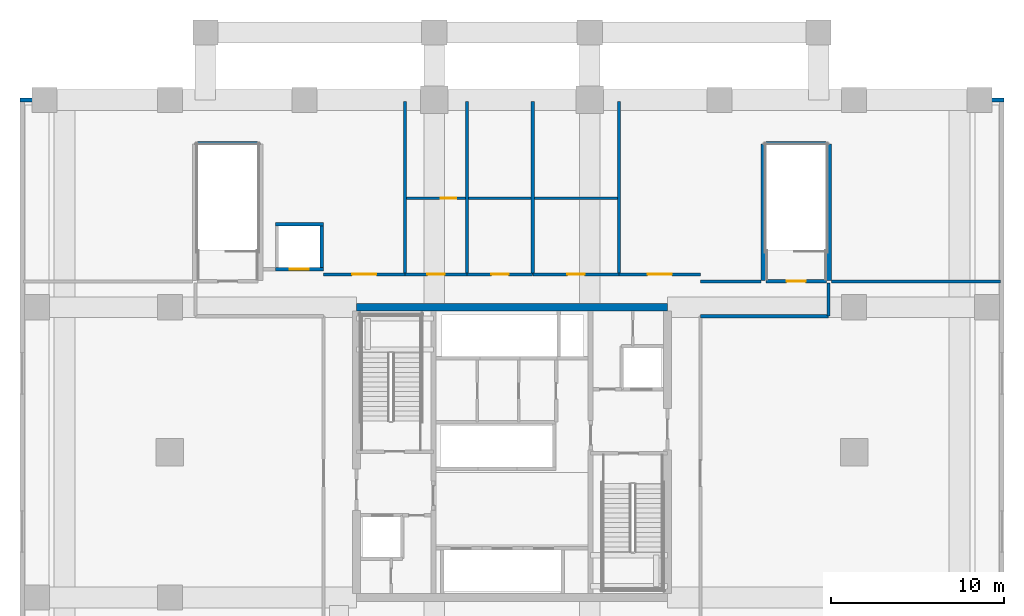
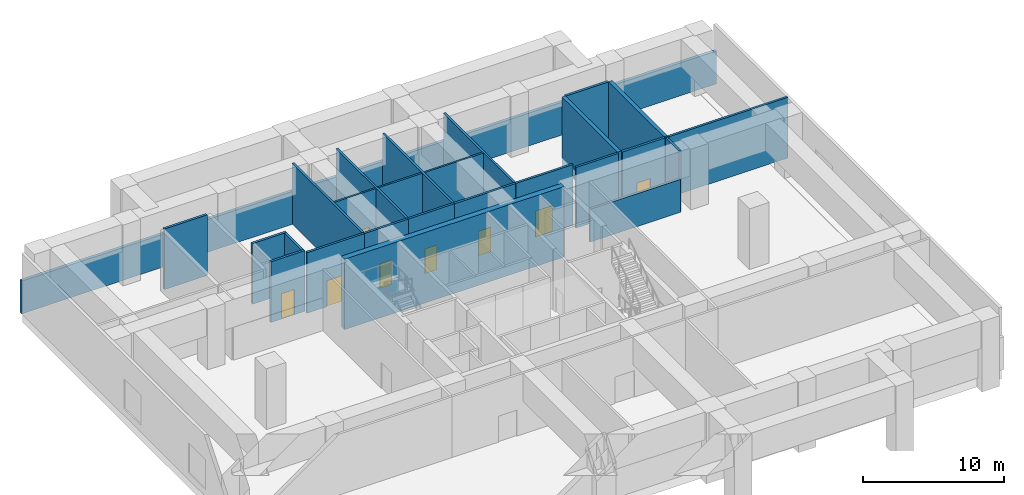
# One storey, part 4 of 9: 24 walls, 8 doors, 8 openings.
"""IFC4 building model written with IfcOpenShell, lengths in metres."""

import ifcopenshell
import ifcopenshell.guid

model = None  # the IFC model being written
_history = None  # IfcOwnerHistory: only IFC2X3 demands one
_inside = {}  # id of a spatial element -> (the spatial element, [elements in it])
_under = {}  # id of a project, library or spatial element -> (it, [spatial elements below it])
_declared = {}  # id of a project -> (the project, [libraries it declares])
_typed = {}  # id of a type object -> (the type object, [elements of that type])
_made_of = {}  # id of a material, layer set ... -> (it, [elements and type objects made of it])


def new_model(schema):
    """Start an empty IFC model of exactly this schema.

    Asked for "IFC4X3", IfcOpenShell would pick the latest addendum, in which some entities
    have other attributes; the version numbers below select the first issue.
    IFC2X3 requires an IfcOwnerHistory on every rooted entity: one is made here for all.
    """
    global model, _history
    if schema == "IFC4X3":
        model = ifcopenshell.file(schema_version=(4, 3, 0, 0))
    else:
        model = ifcopenshell.file(schema=schema)
    _inside.clear()
    _under.clear()
    _declared.clear()
    _typed.clear()
    _made_of.clear()
    _history = None
    if model.schema == "IFC2X3":
        org = make("IfcOrganization", Name="unknown")
        user = make(
            "IfcPersonAndOrganization",
            ThePerson=make("IfcPerson", FamilyName="unknown"),
            TheOrganization=org,
        )
        app = make(
            "IfcApplication",
            ApplicationDeveloper=org,
            Version="unknown",
            ApplicationFullName="unknown",
            ApplicationIdentifier="unknown",
        )
        _history = make(
            "IfcOwnerHistory",
            OwningUser=user,
            OwningApplication=app,
            ChangeAction="ADDED",
            CreationDate=0,
        )
    return model


def make(cls, **values):
    """One entity of the class cls with the attributes given. An attribute that is None is left unset."""
    return model.create_entity(
        cls, **{name: value for name, value in values.items() if value is not None}
    )


def rooted(cls, **values):
    """An entity with a GlobalId (a new one), such as an element, a storey or a relation."""
    return make(cls, GlobalId=ifcopenshell.guid.new(), OwnerHistory=_history, **values)


def si_unit(unit_type, name, prefix=None):
    """IfcSIUnit, for example si_unit("LENGTHUNIT", "METRE", prefix="MILLI")."""
    return make("IfcSIUnit", UnitType=unit_type, Prefix=prefix, Name=name)


def assignment(units):
    """IfcUnitAssignment: the units of a project."""
    return None if units is None else make("IfcUnitAssignment", Units=units)


def point(xyz):
    """IfcCartesianPoint."""
    return None if xyz is None else make("IfcCartesianPoint", Coordinates=xyz)


def direction(xyz):
    """IfcDirection."""
    return None if xyz is None else make("IfcDirection", DirectionRatios=xyz)


def frame(location, z_axis=None, x_axis=None):
    """IfcAxis2Placement3D, a coordinate frame: its origin and axes. An axis left out is left unset."""
    return make(
        "IfcAxis2Placement3D",
        Location=point(location),
        Axis=direction(z_axis),
        RefDirection=direction(x_axis),
    )


def frame_2d(location, x_axis=None):
    """IfcAxis2Placement2D, a coordinate frame in the plane: its origin and x axis."""
    return make(
        "IfcAxis2Placement2D", Location=point(location), RefDirection=direction(x_axis)
    )


def origin():
    """The frame at (0, 0, 0) with its axes left unset."""
    return frame((0.0, 0.0, 0.0))


def place(relative_to, where):
    """IfcLocalPlacement: puts the frame where relative to a parent placement (None: the world)."""
    return make(
        "IfcLocalPlacement", PlacementRelTo=relative_to, RelativePlacement=where
    )


def context(
    kind, dimensions, precision=None, world=None, true_north=None, identifier=None
):
    """IfcGeometricRepresentationContext, for example the 3D "Model" context."""
    return make(
        "IfcGeometricRepresentationContext",
        ContextIdentifier=identifier,
        ContextType=kind,
        CoordinateSpaceDimension=dimensions,
        Precision=precision,
        WorldCoordinateSystem=world,
        TrueNorth=true_north,
    )


def subcontext(parent, identifier, kind, view, scale=None):
    """IfcGeometricRepresentationSubContext, for example "Body" below "Model"."""
    return make(
        "IfcGeometricRepresentationSubContext",
        ContextIdentifier=identifier,
        ContextType=kind,
        ParentContext=parent,
        TargetScale=scale,
        TargetView=view,
    )


def project(units=None, contexts=None):
    """IfcProject with its units and contexts."""
    return rooted(
        "IfcProject",
        Name="project",
        RepresentationContexts=contexts,
        UnitsInContext=assignment(units),
    )


def spatial(cls, under=None, at=None, **own):
    """A site, building, storey or space (cls), placed at a placement, below another one or the project."""
    s = rooted(cls, ObjectPlacement=at, **own)
    if under is not None:
        _under.setdefault(under.id(), (under, []))[1].append(s)
    return s


def profile(cls, at=None, kind="AREA", **sizes):
    """A parametric profile (cls). Its sizes go by their IFC names, for example OverallWidth=200.0."""
    return make(cls, ProfileType=kind, Position=at, **sizes)


def rectangle(**sizes):
    """IfcRectangleProfileDef."""
    return profile("IfcRectangleProfileDef", **sizes)


def extrude(swept, where, along, depth):
    """IfcExtrudedAreaSolid: the profile swept, set in the frame where, extruded along a direction by depth."""
    return make(
        "IfcExtrudedAreaSolid",
        SweptArea=swept,
        Position=where,
        ExtrudedDirection=direction(along),
        Depth=depth,
    )


def shape(context_of_items, identifier, shape_type, items):
    """IfcShapeRepresentation: the items that make up one representation, for example the "Body"."""
    return make(
        "IfcShapeRepresentation",
        ContextOfItems=context_of_items,
        RepresentationIdentifier=identifier,
        RepresentationType=shape_type,
        Items=items,
    )


def source(mapping_origin, context_of_items, identifier, shape_type, items):
    """IfcRepresentationMap: a shape defined once, which mapped items show again and again."""
    return make(
        "IfcRepresentationMap",
        MappingOrigin=mapping_origin,
        MappedRepresentation=shape(context_of_items, identifier, shape_type, items),
    )


def transform(
    local_origin,
    x_axis=None,
    y_axis=None,
    z_axis=None,
    scale=None,
    scale2=None,
    scale3=None,
    uniform=True,
):
    """IfcCartesianTransformationOperator3D, or its non-uniform kind. x_axis, y_axis, z_axis: its Axis1, 2, 3."""
    if uniform:
        return make(
            "IfcCartesianTransformationOperator3D",
            Axis1=direction(x_axis),
            Axis2=direction(y_axis),
            LocalOrigin=point(local_origin),
            Scale=scale,
            Axis3=direction(z_axis),
        )
    return make(
        "IfcCartesianTransformationOperator3DnonUniform",
        Axis1=direction(x_axis),
        Axis2=direction(y_axis),
        LocalOrigin=point(local_origin),
        Scale=scale,
        Axis3=direction(z_axis),
        Scale2=scale2,
        Scale3=scale3,
    )


def mapped(mapping_source, mapping_target):
    """IfcMappedItem: shows the shape of a source again, moved by a transform."""
    return make(
        "IfcMappedItem", MappingSource=mapping_source, MappingTarget=mapping_target
    )


def material(Name=None, Category=None):
    """IfcMaterial."""
    return make("IfcMaterial", Name=Name, Category=Category)


def layer(
    of_material, thickness, ventilated=None, Name=None, Category=None, Priority=None
):
    """IfcMaterialLayer: one layer of a wall or slab, of a material (None: an air gap)."""
    return make(
        "IfcMaterialLayer",
        Material=of_material,
        LayerThickness=thickness,
        IsVentilated=ventilated,
        Name=Name,
        Category=Category,
        Priority=Priority,
    )


def layer_set(layers, Name=None):
    """IfcMaterialLayerSet."""
    return make("IfcMaterialLayerSet", MaterialLayers=layers, LayerSetName=Name)


def made_of(thing, what):
    """Note that an element or type object is made of a material, layer set ...; save() writes the relation."""
    if what is not None:
        _made_of.setdefault(what.id(), (what, []))[1].append(thing)
    return thing


def type_object(cls, material=None, **own):
    """A type object (cls), such as IfcWallType, which elements share."""
    return made_of(rooted(cls, **own), material)


def element(
    cls,
    number,
    at=None,
    inside=None,
    cuts=None,
    type_object=None,
    material=None,
    context=None,
    identifier="Body",
    shape_type=None,
    held_by="IfcProductDefinitionShape",
    body=None,
    shapes=None,
    **own,
):
    """One element of the class cls, such as IfcWall. Its Tag is "e" and its number.

    at: its placement. inside: the storey or other place that contains it. cuts: it is an
    opening in that element (IfcRelVoidsElement). A single representation is given by context,
    identifier, shape_type and body (its items); several are given by shapes. held_by: the class
    of the entity that holds the representations. save() writes the other relations.
    """
    e = rooted(cls, Tag="e%d" % number, ObjectPlacement=at, **own)
    if body is not None:
        shapes = [shape(context, identifier, shape_type, body)]
    if shapes is not None:
        e.Representation = make(held_by, Representations=shapes)
    if inside is not None:
        _inside.setdefault(inside.id(), (inside, []))[1].append(e)
    if cuts is not None:
        rooted(
            "IfcRelVoidsElement", RelatingBuildingElement=cuts, RelatedOpeningElement=e
        )
    if type_object is not None:
        _typed.setdefault(type_object.id(), (type_object, []))[1].append(e)
    return made_of(e, material)


def fill(opening, filler):
    """IfcRelFillsElement: the door or window that sits in an opening."""
    return rooted(
        "IfcRelFillsElement",
        RelatingOpeningElement=opening,
        RelatedBuildingElement=filler,
    )


def aggregate(whole, parts):
    """IfcRelAggregates: a whole, such as a stair, and the parts it consists of."""
    return rooted("IfcRelAggregates", RelatingObject=whole, RelatedObjects=parts)


def save(model, path):
    """Write the relations noted so far, then the file.

    IfcRelAggregates (storeys below a building ...), IfcRelContainedInSpatialStructure (elements
    in a storey), IfcRelDefinesByType, IfcRelAssociatesMaterial and IfcRelDeclares: one each for
    every whole, place, type object, material and project.
    """
    for whole, parts in _under.values():
        aggregate(whole, parts)
    for where, things in _inside.values():
        rooted(
            "IfcRelContainedInSpatialStructure",
            RelatedElements=things,
            RelatingStructure=where,
        )
    for kind, things in _typed.values():
        rooted("IfcRelDefinesByType", RelatedObjects=things, RelatingType=kind)
    for what, things in _made_of.values():
        rooted("IfcRelAssociatesMaterial", RelatedObjects=things, RelatingMaterial=what)
    for by, libraries in _declared.values():
        rooted("IfcRelDeclares", RelatingContext=by, RelatedDefinitions=libraries)
    model.write(path)


model = new_model("IFC4")

# Units and contexts
model_context = context("Model", 3, precision=1e-05, world=origin(), true_north=direction((0.0, 1.0)))
body_context = subcontext(model_context, "Body", "Model", "MODEL_VIEW")
ifc_project = project(units=[si_unit("LENGTHUNIT", "METRE"), si_unit("AREAUNIT", "SQUARE_METRE"), si_unit("VOLUMEUNIT", "CUBIC_METRE"), si_unit("PLANEANGLEUNIT", "RADIAN"), si_unit("MASSUNIT", "GRAM", prefix="KILO")], contexts=[model_context])

# Site, building, storey
site_placement = place(None, origin())
site = spatial("IfcSite", under=ifc_project, at=site_placement, CompositionType="ELEMENT")
building_placement = place(site_placement, origin())
building = spatial("IfcBuilding", under=site, at=building_placement, Name="Serunith Strait Residences", CompositionType="ELEMENT")
storey_placement = place(building_placement, frame((0.0, 0.0, 21.0)))
storey = spatial("IfcBuildingStorey", under=building, at=storey_placement, Name="L04", CompositionType="ELEMENT", Elevation=21.0)

# Wall
ifc_material_1 = material(Name="Pale-Silver Aluminium Terracotta-Backed Wall", Category="masonry")
ifc_layer_1 = layer(ifc_material_1, 0.25, Name="Pale-Silver Aluminium Terracotta-Backed Wall")
ifc_layer_set_1 = layer_set([ifc_layer_1], Name="Pale-Silver Aluminium Terracotta-Backed Wall")
wall_type_1 = type_object("IfcWallType", Name="EW-POD-250", PredefinedType="ELEMENTEDWALL", material=ifc_layer_set_1)
wall_1_placement = place(storey_placement, frame((60.875, 45.60009765625, 0.0), z_axis=(0.0, 0.0, 1.0), x_axis=(-1.0, 0.0, 0.0)))
element("IfcWall", 1, at=wall_1_placement, inside=storey, type_object=wall_type_1, Name="L04 Podium Envelope Wall 3", PredefinedType="ELEMENTEDWALL", context=body_context, shape_type="SweptSolid", body=[
    extrude(rectangle(XDim=56.949951171875, YDim=0.25, at=frame_2d((28.47509765625, 0.0))), origin(), (0.0, 0.0, 1.0), 2.844970703125),
])

# Wall, opening, door
ifc_material_2 = material(Name="Fire-rated masonry service closet wall", Category="masonry")
ifc_layer_2 = layer(ifc_material_2, 0.14990234375, Name="Fire-rated masonry service closet wall")
ifc_layer_set_2 = layer_set([ifc_layer_2], Name="Fire-rated masonry service closet wall")
wall_type_2 = type_object("IfcWallType", Name="IW-BOH-150", PredefinedType="PARTITIONING", material=ifc_layer_set_2)
wall_2_placement = place(storey_placement, frame((26.199951171875, 39.89990234375, 0.0), z_axis=(0.0, 0.0, 1.0), x_axis=(1.0, 0.0, 0.0)))
wall_2 = element("IfcWall", 2, at=wall_2_placement, inside=storey, type_object=wall_type_2, Name="L04 Partition Wall 043", PredefinedType="PARTITIONING", context=body_context, shape_type="SweptSolid", body=[
    extrude(rectangle(XDim=12.400146484375, YDim=0.14990234375, at=frame_2d((6.2001953125, 0.0))), origin(), (0.0, 0.0, 1.0), 5.260009765625),
])
opening_1_placement = place(wall_2_placement, frame((2.070068359375, 0.0, 0.0)))
opening_1 = element("IfcOpeningElement", 3, at=opening_1_placement, cuts=wall_2, Name="Opening FD-900", PredefinedType="OPENING", context=body_context, shape_type="SweptSolid", body=[
    extrude(rectangle(XDim=0.89990234375, YDim=2.10009765625, at=frame_2d((0.449951171875, 1.050048828125))), frame((0.0, 0.0849609375, 0.0), z_axis=(0.0, -1.0, 0.0), x_axis=(1.0, 0.0, 0.0)), (0.0, 0.0, 1.0), 0.169921875),
])
ifc_material_3 = material(Name="Powder-coated steel riser door", Category="steel")
door_type_1 = type_object("IfcDoorType", Name="FD-BOH-900", OperationType="NOTDEFINED", PredefinedType="DOOR", material=ifc_material_3)
shared_shape_1 = source(origin(), body_context, "Body", "SweptSolid", [
    extrude(rectangle(XDim=0.89990234375, YDim=2.10009765625, at=frame_2d((0.449951171875, 1.050048828125))), frame((0.0, 0.02490234375, 0.0), z_axis=(0.0, -1.0, 0.0), x_axis=(1.0, 0.0, 0.0)), (0.0, 0.0, 1.0), 0.050048828125),
])
door_1_placement = place(opening_1_placement, origin())
door_1 = element("IfcDoor", 4, at=door_1_placement, inside=storey, type_object=door_type_1, Name="L04 Linen Store Door", OperationType="SINGLE_SWING_LEFT", OverallHeight=2.10009765625, OverallWidth=0.89990234375, PredefinedType="DOOR", context=body_context, shape_type="MappedRepresentation", body=[
    mapped(shared_shape_1, transform((0.0, 0.0, 0.0), scale=1.0)),
])
fill(opening_1, door_1)

# Walls
ifc_material_4 = material(Name="Fire-rated acoustic gypsum partition")
ifc_layer_3 = layer(ifc_material_4, 0.179931640625, Name="Fire-rated acoustic gypsum partition")
ifc_layer_set_3 = layer_set([ifc_layer_3], Name="Fire-rated acoustic gypsum partition")
wall_type_3 = type_object("IfcWallType", Name="IW-CORR-180", PredefinedType="PARTITIONING", material=ifc_layer_set_3)
wall_3_placement = place(storey_placement, frame((43.300048828125, 35.080078125, 0.0), z_axis=(0.0, 0.0, 1.0), x_axis=(1.0, 0.0, 0.0)))
element("IfcWall", 5, at=wall_3_placement, inside=storey, type_object=wall_type_3, Name="L04 Partition Wall 022", PredefinedType="PARTITIONING", context=body_context, shape_type="SweptSolid", body=[
    extrude(rectangle(XDim=3.5, YDim=0.179931640625, at=frame_2d((1.75, 0.0))), origin(), (0.0, 0.0, 1.0), 5.260009765625),
])
wall_4_placement = place(storey_placement, frame((43.300048828125, 33.080078125, 0.0), z_axis=(0.0, 0.0, 1.0), x_axis=(1.0, 0.0, 0.0)))
element("IfcWall", 6, at=wall_4_placement, inside=storey, type_object=wall_type_3, Name="L04 Partition Wall 023", PredefinedType="PARTITIONING", context=body_context, shape_type="SweptSolid", body=[
    extrude(rectangle(XDim=7.419921875, YDim=0.179931640625, at=frame_2d((3.7099609375, 0.0))), origin(), (0.0, 0.0, 1.0), 2.844970703125),
])
wall_5_placement = place(storey_placement, frame((50.89990234375, 35.080078125, 0.0), z_axis=(0.0, 0.0, 1.0), x_axis=(1.0, 0.0, 0.0)))
element("IfcWall", 7, at=wall_5_placement, inside=storey, type_object=wall_type_3, Name="L04 Partition Wall 024", PredefinedType="PARTITIONING", context=body_context, shape_type="SweptSolid", body=[
    extrude(rectangle(XDim=9.76806640625, YDim=0.179931640625, at=frame_2d((4.884033203125, 0.0))), origin(), (0.0, 0.0, 1.0), 5.260009765625),
])
wall_6_placement = place(storey_placement, frame((50.719970703125, 33.080078125, 0.0), z_axis=(0.0, 0.0, 1.0), x_axis=(0.0, 1.0, 0.0)))
element("IfcWall", 8, at=wall_6_placement, inside=storey, type_object=wall_type_3, Name="L04 Partition Wall 026", PredefinedType="PARTITIONING", context=body_context, shape_type="SweptSolid", body=[
    extrude(rectangle(XDim=1.919921875, YDim=0.179931640625, at=frame_2d((0.9599609375, 0.0))), origin(), (0.0, 0.0, 1.0), 5.260009765625),
])
for number, where, z_axis, x_axis, name in (
    (9, (26.199951171875, 35.5, 0.0), (0.0, 0.0, 1.0), (0.0, 1.0, 0.0), "L04 Partition Wall 029"),
    (10, (29.800048828125, 35.5, 0.0), (0.0, 0.0, 1.0), (0.0, 1.0, 0.0), "L04 Partition Wall 030"),
    (11, (33.60009765625, 35.5, 0.0), (0.0, 0.0, 1.0), (0.0, 1.0, 0.0), "L04 Partition Wall 031"),
    (12, (38.60009765625, 35.5, 0.0), (0.0, 0.0, 1.0), (0.0, 1.0, 0.0), "L04 Partition Wall 032"),
):
    element("IfcWall", number, at=place(storey_placement, frame(where, z_axis=z_axis, x_axis=x_axis)), inside=storey, type_object=wall_type_3, Name=name, PredefinedType="PARTITIONING", context=body_context, shape_type="SweptSolid", body=[
        extrude(rectangle(XDim=10.01806640625, YDim=0.179931640625, at=frame_2d((5.009033203125, 0.0))), origin(), (0.0, 0.0, 1.0), 5.260009765625),
    ])

# Wall, opening, door
wall_7_placement = place(storey_placement, frame((21.5, 35.5, 0.0), z_axis=(0.0, 0.0, 1.0), x_axis=(1.0, 0.0, 0.0)))
wall_7 = element("IfcWall", 13, at=wall_7_placement, inside=storey, type_object=wall_type_3, Name="L04 Partition Wall 036", PredefinedType="PARTITIONING", context=body_context, shape_type="SweptSolid", body=[
    extrude(rectangle(XDim=4.699951171875, YDim=0.179931640625, at=frame_2d((2.35009765625, 0.0))), origin(), (0.0, 0.0, 1.0), 5.260009765625),
])
opening_2_placement = place(wall_7_placement, frame((1.64990234375, 0.0, 0.0)))
opening_2 = element("IfcOpeningElement", 14, at=opening_2_placement, cuts=wall_7, Name="Opening D-POD1400", PredefinedType="OPENING", context=body_context, shape_type="SweptSolid", body=[
    extrude(rectangle(XDim=1.39990234375, YDim=2.25, at=frame_2d((0.699951171875, 1.125))), frame((0.0, 0.10009765625, 0.0), z_axis=(0.0, -1.0, 0.0), x_axis=(1.0, 0.0, 0.0)), (0.0, 0.0, 1.0), 0.199951171875),
])
ifc_material_5 = material(Name="Pale-champagne aluminium glazed suite door", Category="aluminium")
door_type_2 = type_object("IfcDoorType", Name="ID-POD-1400", OperationType="DOUBLE_DOOR_SINGLE_SWING", PredefinedType="DOOR", material=ifc_material_5)
shared_shape_2 = source(origin(), body_context, "Body", "SweptSolid", [
    extrude(rectangle(XDim=1.39990234375, YDim=2.25, at=frame_2d((0.699951171875, 1.125))), frame((0.0, 0.02490234375, 0.0), z_axis=(0.0, -1.0, 0.0), x_axis=(1.0, 0.0, 0.0)), (0.0, 0.0, 1.0), 0.050048828125),
])
door_2_placement = place(opening_2_placement, origin())
door_2 = element("IfcDoor", 15, at=door_2_placement, inside=storey, type_object=door_type_2, Name="L04 North-West Room Door", OperationType="DOUBLE_DOOR_SINGLE_SWING", OverallHeight=2.25, OverallWidth=1.39990234375, PredefinedType="DOOR", context=body_context, shape_type="MappedRepresentation", body=[
    mapped(shared_shape_2, transform((0.0, 0.0, 0.0), scale=1.0)),
])
fill(opening_2, door_2)

wall_8_placement = place(storey_placement, frame((26.201904296875, 35.5, 0.0), z_axis=(0.0, 0.0, 1.0), x_axis=(1.0, 0.0, 0.0)))
wall_8 = element("IfcWall", 16, at=wall_8_placement, inside=storey, type_object=wall_type_3, Name="L04 Partition Wall 037", PredefinedType="PARTITIONING", context=body_context, shape_type="SweptSolid", body=[
    extrude(rectangle(XDim=3.59814453125, YDim=0.179931640625, at=frame_2d((1.799072265625, 0.0))), origin(), (0.0, 0.0, 1.0), 5.260009765625),
])
opening_3_placement = place(wall_8_placement, frame((1.299072265625, 0.0, 0.0)))
opening_3 = element("IfcOpeningElement", 17, at=opening_3_placement, cuts=wall_8, Name="Opening D-APT1000", PredefinedType="OPENING", context=body_context, shape_type="SweptSolid", body=[
    extrude(rectangle(XDim=1.0, YDim=2.14990234375, at=frame_2d((0.5, 1.074951171875))), frame((0.0, 0.10009765625, 0.0), z_axis=(0.0, -1.0, 0.0), x_axis=(1.0, 0.0, 0.0)), (0.0, 0.0, 1.0), 0.199951171875),
])
ifc_material_6 = material(Name="Solid timber engineered fire door", Category="wood")
door_type_3 = type_object("IfcDoorType", Name="ID-APT-1000", OperationType="NOTDEFINED", PredefinedType="DOOR", material=ifc_material_6)
shared_shape_3 = source(origin(), body_context, "Body", "SweptSolid", [
    extrude(rectangle(XDim=1.0, YDim=2.14990234375, at=frame_2d((0.5, 1.074951171875))), frame((0.0, 0.02490234375, 0.0), z_axis=(0.0, -1.0, 0.0), x_axis=(1.0, 0.0, 0.0)), (0.0, 0.0, 1.0), 0.050048828125),
])
door_3_placement = place(opening_3_placement, origin())
door_3 = element("IfcDoor", 18, at=door_3_placement, inside=storey, type_object=door_type_3, Name="L04 Accessible WC Door", OperationType="SINGLE_SWING_LEFT", OverallHeight=2.14990234375, OverallWidth=1.0, PredefinedType="DOOR", context=body_context, shape_type="MappedRepresentation", body=[
    mapped(shared_shape_3, transform((0.0, 0.0, 0.0), scale=1.0)),
])
fill(opening_3, door_3)

wall_9_placement = place(storey_placement, frame((29.802001953125, 35.5, 0.0), z_axis=(0.0, 0.0, 1.0), x_axis=(1.0, 0.0, 0.0)))
wall_9 = element("IfcWall", 19, at=wall_9_placement, inside=storey, type_object=wall_type_3, Name="L04 Partition Wall 038", PredefinedType="PARTITIONING", context=body_context, shape_type="SweptSolid", body=[
    extrude(rectangle(XDim=3.798095703125, YDim=0.179931640625, at=frame_2d((1.89892578125, 0.0))), origin(), (0.0, 0.0, 1.0), 5.260009765625),
])
opening_4_placement = place(wall_9_placement, frame((1.39892578125, 0.0, 0.0)))
opening_4 = element("IfcOpeningElement", 20, at=opening_4_placement, cuts=wall_9, Name="Opening D-APT1000", PredefinedType="OPENING", context=body_context, shape_type="SweptSolid", body=[
    extrude(rectangle(XDim=1.0, YDim=2.14990234375, at=frame_2d((0.5, 1.074951171875))), frame((0.0, 0.10009765625, 0.0), z_axis=(0.0, -1.0, 0.0), x_axis=(1.0, 0.0, 0.0)), (0.0, 0.0, 1.0), 0.199951171875),
])
door_4_placement = place(opening_4_placement, origin())
door_4 = element("IfcDoor", 21, at=door_4_placement, inside=storey, type_object=door_type_3, Name="L04 Public Male WC Door", OperationType="SINGLE_SWING_RIGHT", OverallHeight=2.14990234375, OverallWidth=1.0, PredefinedType="DOOR", context=body_context, shape_type="MappedRepresentation", body=[
    mapped(shared_shape_3, transform((0.0, 0.0, 0.0), scale=1.0)),
])
fill(opening_4, door_4)

wall_10_placement = place(storey_placement, frame((33.60205078125, 35.5, 0.0), z_axis=(0.0, 0.0, 1.0), x_axis=(1.0, 0.0, 0.0)))
wall_10 = element("IfcWall", 22, at=wall_10_placement, inside=storey, type_object=wall_type_3, Name="L04 Partition Wall 039", PredefinedType="PARTITIONING", context=body_context, shape_type="SweptSolid", body=[
    extrude(rectangle(XDim=4.998046875, YDim=0.179931640625, at=frame_2d((2.4990234375, 0.0))), origin(), (0.0, 0.0, 1.0), 5.260009765625),
])
opening_5_placement = place(wall_10_placement, frame((1.9990234375, 0.0, 0.0)))
opening_5 = element("IfcOpeningElement", 23, at=opening_5_placement, cuts=wall_10, Name="Opening D-APT1000", PredefinedType="OPENING", context=body_context, shape_type="SweptSolid", body=[
    extrude(rectangle(XDim=1.0, YDim=2.14990234375, at=frame_2d((0.5, 1.074951171875))), frame((0.0, 0.10009765625, 0.0), z_axis=(0.0, -1.0, 0.0), x_axis=(1.0, 0.0, 0.0)), (0.0, 0.0, 1.0), 0.199951171875),
])
door_5_placement = place(opening_5_placement, origin())
door_5 = element("IfcDoor", 24, at=door_5_placement, inside=storey, type_object=door_type_3, Name="L04 Public Female WC Door", OperationType="SINGLE_SWING_LEFT", OverallHeight=2.14990234375, OverallWidth=1.0, PredefinedType="DOOR", context=body_context, shape_type="MappedRepresentation", body=[
    mapped(shared_shape_3, transform((0.0, 0.0, 0.0), scale=1.0)),
])
fill(opening_5, door_5)

wall_11_placement = place(storey_placement, frame((38.60205078125, 35.5, 0.0), z_axis=(0.0, 0.0, 1.0), x_axis=(1.0, 0.0, 0.0)))
wall_11 = element("IfcWall", 25, at=wall_11_placement, inside=storey, type_object=wall_type_3, Name="L04 Partition Wall 040", PredefinedType="PARTITIONING", context=body_context, shape_type="SweptSolid", body=[
    extrude(rectangle(XDim=4.697998046875, YDim=0.179931640625, at=frame_2d((2.34912109375, 0.0))), origin(), (0.0, 0.0, 1.0), 5.260009765625),
])
opening_6_placement = place(wall_11_placement, frame((1.64892578125, 0.0, 0.0)))
opening_6 = element("IfcOpeningElement", 26, at=opening_6_placement, cuts=wall_11, Name="Opening D-POD1400", PredefinedType="OPENING", context=body_context, shape_type="SweptSolid", body=[
    extrude(rectangle(XDim=1.39990234375, YDim=2.25, at=frame_2d((0.699951171875, 1.125))), frame((0.0, 0.10009765625, 0.0), z_axis=(0.0, -1.0, 0.0), x_axis=(1.0, 0.0, 0.0)), (0.0, 0.0, 1.0), 0.199951171875),
])
door_6_placement = place(opening_6_placement, origin())
door_6 = element("IfcDoor", 27, at=door_6_placement, inside=storey, type_object=door_type_2, Name="L04 North-East Room Door", OperationType="DOUBLE_DOOR_SINGLE_SWING", OverallHeight=2.25, OverallWidth=1.39990234375, PredefinedType="DOOR", context=body_context, shape_type="MappedRepresentation", body=[
    mapped(shared_shape_2, transform((0.0, 0.0, 0.0), scale=1.0)),
])
fill(opening_6, door_6)

# Wall
ifc_material_7 = material(Name="Autoclaved aerated concrete blockwork", Category="masonry")
ifc_layer_4 = layer(ifc_material_7, 0.199951171875, Name="Autoclaved aerated concrete blockwork")
ifc_layer_set_4 = layer_set([ifc_layer_4], Name="Autoclaved aerated concrete blockwork")
wall_type_4 = type_object("IfcWallType", Name="IW-SHAFT-200", PredefinedType="STANDARD", material=ifc_layer_set_4)
wall_12_placement = place(storey_placement, frame((14.199951171875, 43.10009765625, 0.0), z_axis=(0.0, 0.0, 1.0), x_axis=(1.0, 0.0, 0.0)))
element("IfcWall", 28, at=wall_12_placement, inside=storey, type_object=wall_type_4, Name="L04 ST-3 North Shaft Wall", PredefinedType="STANDARD", context=body_context, shape_type="SweptSolid", body=[
    extrude(rectangle(XDim=3.5, YDim=0.199951171875, at=frame_2d((1.75, 0.0))), origin(), (0.0, 0.0, 1.0), 5.260009765625),
])

# Wall, opening, door
wall_13_placement = place(storey_placement, frame((47.10009765625, 35.10009765625, 0.0), z_axis=(0.0, 0.0, 1.0), x_axis=(1.0, 0.0, 0.0)))
wall_13 = element("IfcWall", 29, at=wall_13_placement, inside=storey, type_object=wall_type_4, Name="L04 ST-4 South Shaft Wall", PredefinedType="STANDARD", context=body_context, shape_type="SweptSolid", body=[
    extrude(rectangle(XDim=3.5, YDim=0.199951171875, at=frame_2d((1.75, 0.0))), origin(), (0.0, 0.0, 1.0), 5.260009765625),
])
opening_7_placement = place(wall_13_placement, frame((1.199951171875, 0.0, 0.0)))
opening_7 = element("IfcOpeningElement", 30, at=opening_7_placement, cuts=wall_13, Name="Opening FD-1100", PredefinedType="OPENING", context=body_context, shape_type="SweptSolid", body=[
    extrude(rectangle(XDim=1.10009765625, YDim=2.14990234375, at=frame_2d((0.550048828125, 1.074951171875))), frame((0.0, 0.10986328125, 0.0), z_axis=(0.0, -1.0, 0.0), x_axis=(1.0, 0.0, 0.0)), (0.0, 0.0, 1.0), 0.219970703125),
])
ifc_material_8 = material(Name="Galvanised steel fire door leaf", Category="steel")
door_type_4 = type_object("IfcDoorType", Name="FD-STAIR-1100", OperationType="NOTDEFINED", PredefinedType="DOOR", material=ifc_material_8)
shared_shape_4 = source(origin(), body_context, "Body", "SweptSolid", [
    extrude(rectangle(XDim=1.10009765625, YDim=2.14990234375, at=frame_2d((0.550048828125, 1.074951171875))), frame((0.0, 0.02490234375, 0.0), z_axis=(0.0, -1.0, 0.0), x_axis=(1.0, 0.0, 0.0)), (0.0, 0.0, 1.0), 0.050048828125),
])
door_7_placement = place(opening_7_placement, origin())
door_7 = element("IfcDoor", 31, at=door_7_placement, inside=storey, type_object=door_type_4, Name="L04 ST-4 Escape Stair Door", OperationType="SINGLE_SWING_LEFT", OverallHeight=2.14990234375, OverallWidth=1.10009765625, PredefinedType="DOOR", context=body_context, shape_type="MappedRepresentation", body=[
    mapped(shared_shape_4, transform((0.0, 0.0, 0.0), scale=1.0)),
])
fill(opening_7, door_7)

# Wall
wall_14_placement = place(storey_placement, frame((47.10009765625, 43.10009765625, 0.0), z_axis=(0.0, 0.0, 1.0), x_axis=(1.0, 0.0, 0.0)))
element("IfcWall", 32, at=wall_14_placement, inside=storey, type_object=wall_type_4, Name="L04 ST-4 North Shaft Wall", PredefinedType="STANDARD", context=body_context, shape_type="SweptSolid", body=[
    extrude(rectangle(XDim=3.5, YDim=0.199951171875, at=frame_2d((1.75, 0.0))), origin(), (0.0, 0.0, 1.0), 5.260009765625),
])

# Wall, opening, door
wall_15_placement = place(storey_placement, frame((18.699951171875, 35.800048828125, 0.0), z_axis=(0.0, 0.0, 1.0), x_axis=(1.0, 0.0, 0.0)))
wall_15 = element("IfcWall", 33, at=wall_15_placement, inside=storey, type_object=wall_type_4, Name="L04 SV-1 South Shaft Wall", PredefinedType="STANDARD", context=body_context, shape_type="SweptSolid", body=[
    extrude(rectangle(XDim=2.800048828125, YDim=0.199951171875, at=frame_2d((1.39990234375, 0.0))), origin(), (0.0, 0.0, 1.0), 5.260009765625),
])
opening_8_placement = place(wall_15_placement, frame((0.85009765625, 0.0, 0.0)))
opening_8 = element("IfcOpeningElement", 34, at=opening_8_placement, cuts=wall_15, Name="Opening LD-1100", PredefinedType="OPENING", context=body_context, shape_type="SweptSolid", body=[
    extrude(rectangle(XDim=1.10009765625, YDim=2.199951171875, at=frame_2d((0.550048828125, 1.10009765625))), frame((0.0, 0.10986328125, 0.0), z_axis=(0.0, -1.0, 0.0), x_axis=(1.0, 0.0, 0.0)), (0.0, 0.0, 1.0), 0.219970703125),
])
ifc_material_9 = material(Name="Pale-champagne stainless landing door")
door_type_5 = type_object("IfcDoorType", Name="LD-LIFT-1100", OperationType="DOUBLE_DOOR_SLIDING", PredefinedType="DOOR", material=ifc_material_9)
shared_shape_5 = source(origin(), body_context, "Body", "SweptSolid", [
    extrude(rectangle(XDim=1.10009765625, YDim=2.199951171875, at=frame_2d((0.550048828125, 1.10009765625))), frame((0.0, 0.02490234375, 0.0), z_axis=(0.0, -1.0, 0.0), x_axis=(1.0, 0.0, 0.0)), (0.0, 0.0, 1.0), 0.050048828125),
])
door_8_placement = place(opening_8_placement, origin())
door_8 = element("IfcDoor", 35, at=door_8_placement, inside=storey, type_object=door_type_5, Name="L04 SV-1 Landing Door", OperationType="DOUBLE_DOOR_SLIDING", OverallHeight=2.199951171875, OverallWidth=1.10009765625, PredefinedType="DOOR", context=body_context, shape_type="MappedRepresentation", body=[
    mapped(shared_shape_5, transform((0.0, 0.0, 0.0), scale=1.0)),
])
fill(opening_8, door_8)

# Walls
wall_16_placement = place(storey_placement, frame((21.39990234375, 35.89990234375, 0.0), z_axis=(0.0, 0.0, 1.0), x_axis=(0.0, 1.0, 0.0)))
element("IfcWall", 36, at=wall_16_placement, inside=storey, type_object=wall_type_4, Name="L04 SV-1 East Shaft Wall", PredefinedType="STANDARD", context=body_context, shape_type="SweptSolid", body=[
    extrude(rectangle(XDim=2.400146484375, YDim=0.199951171875, at=frame_2d((1.2001953125, 0.0))), origin(), (0.0, 0.0, 1.0), 5.260009765625),
])
wall_17_placement = place(storey_placement, frame((18.699951171875, 38.39990234375, 0.0), z_axis=(0.0, 0.0, 1.0), x_axis=(1.0, 0.0, 0.0)))
element("IfcWall", 37, at=wall_17_placement, inside=storey, type_object=wall_type_4, Name="L04 SV-1 North Shaft Wall", PredefinedType="STANDARD", context=body_context, shape_type="SweptSolid", body=[
    extrude(rectangle(XDim=2.800048828125, YDim=0.199951171875, at=frame_2d((1.39990234375, 0.0))), origin(), (0.0, 0.0, 1.0), 5.260009765625),
])
ifc_material_10 = material(Name="Concrete C60/75", Category="concrete")
ifc_layer_5 = layer(ifc_material_10, 0.300048828125, Name="Concrete C60/75")
ifc_layer_set_5 = layer_set([ifc_layer_5], Name="Concrete C60/75")
wall_type_5 = type_object("IfcWallType", Name="SW-300-C60", PredefinedType="SHEAR", material=ifc_layer_set_5)
for number, where, z_axis, x_axis, name in (
    (38, (46.949951171875, 35.14990234375, -0.85009765625), (0.0, 0.0, 1.0), (0.0, 1.0, 0.0), "L04 ST-4 West Structural Shaft Wall"),
    (39, (50.75, 35.14990234375, -0.85009765625), (0.0, 0.0, 1.0), (0.0, 1.0, 0.0), "L04 ST-4 East Structural Shaft Wall"),
):
    element("IfcWall", number, at=place(storey_placement, frame(where, z_axis=z_axis, x_axis=x_axis)), inside=storey, type_object=wall_type_5, Name=name, PredefinedType="SHEAR", context=body_context, shape_type="SweptSolid", body=[
        extrude(rectangle(XDim=7.900146484375, YDim=0.300048828125, at=frame_2d((3.9501953125, 0.0))), origin(), (0.0, 0.0, 1.0), 6.108154296875),
    ])
ifc_material_11 = material(Name="Concrete C80/95", Category="concrete")
ifc_layer_6 = layer(ifc_material_11, 0.449951171875, Name="Concrete C80/95")
ifc_layer_set_6 = layer_set([ifc_layer_6], Name="Concrete C80/95")
wall_type_6 = type_object("IfcWallType", Name="SW-450-C80", PredefinedType="SHEAR", material=ifc_layer_set_6)
wall_18_placement = place(storey_placement, frame((41.39990234375, 33.60009765625, -0.85009765625), z_axis=(0.0, 0.0, 1.0), x_axis=(-1.0, 0.0, 0.0)))
element("IfcWall", 40, at=wall_18_placement, inside=storey, type_object=wall_type_6, Name="L04 Core North Shear Wall", PredefinedType="SHEAR", context=body_context, shape_type="SweptSolid", body=[
    extrude(rectangle(XDim=18.0, YDim=0.449951171875, at=frame_2d((9.0, 0.0))), origin(), (0.0, 0.0, 1.0), 6.108154296875),
])

save(model, "model.ifc")
